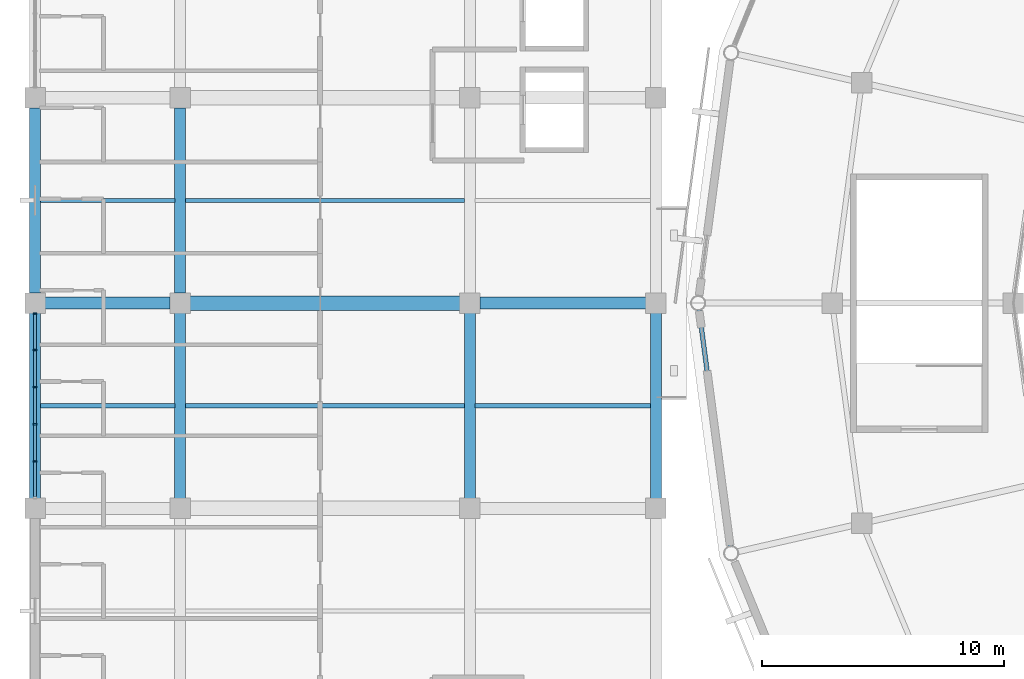
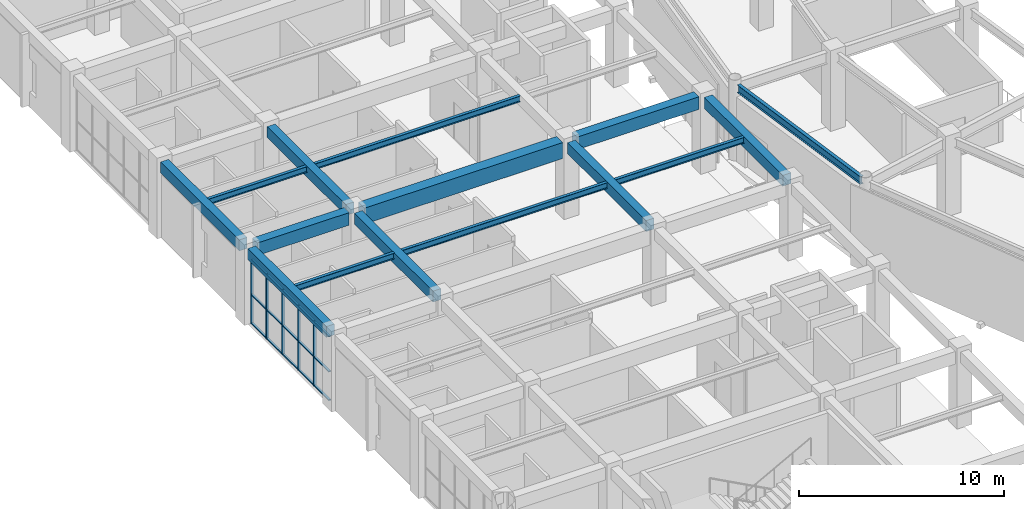
# One storey, part 34 of 112: 20 members, 15 beams, 1 element without a shape of its own.
"""IFC4 building model written with IfcOpenShell, lengths in metres."""

from ifc_helpers import new_model, si_unit, direction, frame, origin, origin_2d, place, context, subcontext, project, spatial, rectangle, i_section, extrude, material, material_profile, profile_set, type_object, element, aggregate, save


model = new_model("IFC4")

# Units and contexts
model_context = context("Model", 3, precision=1e-05, world=origin(), true_north=direction((0.0, 1.0)))
body_context = subcontext(model_context, "Body", "Model", "MODEL_VIEW")
ifc_project = project(units=[si_unit("LENGTHUNIT", "METRE"), si_unit("AREAUNIT", "SQUARE_METRE"), si_unit("VOLUMEUNIT", "CUBIC_METRE"), si_unit("PLANEANGLEUNIT", "RADIAN"), si_unit("MASSUNIT", "GRAM", prefix="KILO")], contexts=[model_context])

# Site, building, storey
site_placement = place(None, origin())
site = spatial("IfcSite", under=ifc_project, at=site_placement, CompositionType="ELEMENT")
building_placement = place(site_placement, origin())
building = spatial("IfcBuilding", under=site, at=building_placement, Name="Cuetzalor Civic Arena", CompositionType="ELEMENT")
storey_placement = place(building_placement, frame((0.0, 0.0, 11.39990234375)))
storey = spatial("IfcBuildingStorey", under=building, at=storey_placement, Name="L02", CompositionType="ELEMENT", Elevation=11.39990234375)

# Beams
ifc_material_1 = material(Name="Concrete C40/50", Category="concrete")
ifc_material_profile_1 = material_profile(ifc_material_1, rectangle(XDim=0.5, YDim=0.75, at=origin_2d()), Name="RC 500x750")
ifc_profile_set_1 = profile_set([ifc_material_profile_1], Name="Concrete C40/50")
beam_type_1 = type_object("IfcBeamType", Name="ConcreteFrameBeam_500x750", PredefinedType="BEAM", material=ifc_profile_set_1)
beam_1_placement = place(storey_placement, frame((-81.5849609375, 0.0, 4.14501953125), z_axis=(1.0, 0.0, 0.0), x_axis=(0.0, 1.0, 0.0)))
element("IfcBeam", 1, at=beam_1_placement, inside=storey, type_object=beam_type_1, Name="Frame Girder V4W-L02-X0643", PredefinedType="BEAM", context=body_context, shape_type="SweptSolid", body=[
    extrude(rectangle(XDim=0.5, YDim=0.75, at=origin_2d()), origin(), (0.0, 0.0, 1.0), 5.169921875),
])
beam_2_placement = place(storey_placement, frame((-63.5849609375, 0.0, 4.14501953125), z_axis=(1.0, 0.0, 0.0), x_axis=(0.0, 1.0, 0.0)))
element("IfcBeam", 2, at=beam_2_placement, inside=storey, type_object=beam_type_1, Name="Frame Girder V4W-L02-X0645", PredefinedType="BEAM", context=body_context, shape_type="SweptSolid", body=[
    extrude(rectangle(XDim=0.5, YDim=0.75, at=origin_2d()), origin(), (0.0, 0.0, 1.0), 6.869873046875),
])
ifc_material_2 = material(Name="Concrete C40/50", Category="concrete")
ifc_material_profile_2 = material_profile(ifc_material_2, rectangle(XDim=0.60009765625, YDim=0.949951171875, at=origin_2d()), Name="RC 600x950")
ifc_profile_set_2 = profile_set([ifc_material_profile_2], Name="Concrete C40/50")
beam_type_2 = type_object("IfcBeamType", Name="ConcreteFrameBeam_600x950", PredefinedType="BEAM", material=ifc_profile_set_2)
beam_3_placement = place(storey_placement, frame((-75.5849609375, 0.0, 4.045166015625), z_axis=(1.0, 0.0, 0.0), x_axis=(0.0, 1.0, 0.0)))
element("IfcBeam", 3, at=beam_3_placement, inside=storey, type_object=beam_type_2, Name="Frame Girder V4W-L02-X0644", PredefinedType="BEAM", context=body_context, shape_type="SweptSolid", body=[
    extrude(rectangle(XDim=0.60009765625, YDim=0.949951171875, at=origin_2d()), origin(), (0.0, 0.0, 1.0), 11.169921875),
])
ifc_material_3 = material(Name="Concrete C40/50", Category="concrete")
ifc_material_profile_3 = material_profile(ifc_material_3, rectangle(XDim=0.449951171875, YDim=0.64990234375, at=origin_2d()), Name="RC 450x650")
ifc_profile_set_3 = profile_set([ifc_material_profile_3], Name="Concrete C40/50")
beam_type_3 = type_object("IfcBeamType", Name="ConcreteTieBeam_450x650", PredefinedType="BEAM", material=ifc_profile_set_3)
for number, where, z_axis, x_axis, name in (
    (4, (-82.0, -8.0849609375, 4.195068359375), (0.0, 1.0, 0.0), (-1.0, 0.0, 0.0), "Frame Girder V4W-L02-Y0663"),
    (5, (-82.0, 0.4150390625, 4.195068359375), (0.0, 1.0, 0.0), (-1.0, 0.0, 0.0), "Frame Girder V4W-L02-Y0664"),
    (6, (-76.0, -8.0849609375, 4.195068359375), (0.0, 1.0, 0.0), (-1.0, 0.0, 0.0), "Frame Girder V4W-L02-Y0673"),
    (7, (-76.0, 0.4150390625, 4.195068359375), (0.0, 1.0, 0.0), (-1.0, 0.0, 0.0), "Frame Girder V4W-L02-Y0674"),
    (8, (-64.0, -8.0849609375, 4.195068359375), (0.0, 1.0, 0.0), (-1.0, 0.0, 0.0), "Frame Girder V4W-L02-Y0683"),
    (9, (-56.300048828125, -8.0849609375, 4.195068359375), (0.0, 1.0, 0.0), (-1.0, 0.0, 0.0), "Frame Girder V4W-L02-Y0693"),
):
    element("IfcBeam", number, at=place(storey_placement, frame(where, z_axis=z_axis, x_axis=x_axis)), inside=storey, type_object=beam_type_3, Name=name, PredefinedType="BEAM", context=body_context, shape_type="SweptSolid", body=[
        extrude(rectangle(XDim=0.449951171875, YDim=0.64990234375, at=origin_2d()), origin(), (0.0, 0.0, 1.0), 7.669921875),
    ])

# Curtain wall, members
ifc_material_4 = material(Name="Anodised dark bronze aluminium and low-E solar glass", Category="aluminium")
curtain_wall_type = type_object("IfcCurtainWallType", Name="UnitisedCW_7700x3850", PredefinedType="USERDEFINED", material=ifc_material_4)
curtain_wall_placement = place(storey_placement, origin())
curtain_wall = element("IfcCurtainWall", 10, at=curtain_wall_placement, inside=storey, type_object=curtain_wall_type, Name="V4W Suite Viewing Curtain Wall L02-115", ObjectType="UNITISED CURTAIN WALL", PredefinedType="USERDEFINED")
ifc_material_5 = material(Name="Anodised dark bronze aluminium", Category="aluminium")
ifc_material_profile_4 = material_profile(ifc_material_5, rectangle(XDim=0.06494140625, YDim=0.14990234375, at=origin_2d()), Name="ALU MULLION 65x150")
ifc_profile_set_4 = profile_set([ifc_material_profile_4], Name="Anodised dark bronze aluminium")
member_type_1 = type_object("IfcMemberType", Name="CurtainWallMullion_60x150", PredefinedType="MULLION", material=ifc_profile_set_4)
member_1_placement = place(storey_placement, frame((-82.0, -6.555908203125, 0.0), z_axis=(0.0, 0.0, 1.0), x_axis=(0.0, 1.0, 0.0)))
member_1 = element("IfcMember", 11, at=member_1_placement, type_object=member_type_1, Name="CW-42 mullion 2", PredefinedType="MULLION", context=body_context, shape_type="SweptSolid", body=[
    extrude(rectangle(XDim=0.06494140625, YDim=0.14990234375, at=origin_2d()), origin(), (0.0, 0.0, 1.0), 3.860107421875),
])
member_2_placement = place(storey_placement, frame((-82.0, -5.0185546875, 0.0), z_axis=(0.0, 0.0, 1.0), x_axis=(0.0, 1.0, 0.0)))
member_2 = element("IfcMember", 12, at=member_2_placement, type_object=member_type_1, Name="CW-42 mullion 3", PredefinedType="MULLION", context=body_context, shape_type="SweptSolid", body=[
    extrude(rectangle(XDim=0.06494140625, YDim=0.14990234375, at=origin_2d()), origin(), (0.0, 0.0, 1.0), 3.860107421875),
])
member_3_placement = place(storey_placement, frame((-82.0, -3.4814453125, 0.0), z_axis=(0.0, 0.0, 1.0), x_axis=(0.0, 1.0, 0.0)))
member_3 = element("IfcMember", 13, at=member_3_placement, type_object=member_type_1, Name="CW-42 mullion 4", PredefinedType="MULLION", context=body_context, shape_type="SweptSolid", body=[
    extrude(rectangle(XDim=0.06494140625, YDim=0.14990234375, at=origin_2d()), origin(), (0.0, 0.0, 1.0), 3.860107421875),
])
member_4_placement = place(storey_placement, frame((-82.0, -1.944091796875, 0.0), z_axis=(0.0, 0.0, 1.0), x_axis=(0.0, 1.0, 0.0)))
member_4 = element("IfcMember", 14, at=member_4_placement, type_object=member_type_1, Name="CW-42 mullion 5", PredefinedType="MULLION", context=body_context, shape_type="SweptSolid", body=[
    extrude(rectangle(XDim=0.06494140625, YDim=0.14990234375, at=origin_2d()), origin(), (0.0, 0.0, 1.0), 3.860107421875),
])
member_5_placement = place(storey_placement, frame((-82.0, -0.439453125, 0.0), z_axis=(0.0, 0.0, 1.0), x_axis=(0.0, 1.0, 0.0)))
member_5 = element("IfcMember", 15, at=member_5_placement, type_object=member_type_1, Name="CW-42 mullion 6", PredefinedType="MULLION", context=body_context, shape_type="SweptSolid", body=[
    extrude(rectangle(XDim=0.06494140625, YDim=0.14990234375, at=origin_2d()), origin(), (0.0, 0.0, 1.0), 3.860107421875),
])
ifc_material_6 = material(Name="Anodised dark bronze aluminium", Category="aluminium")
ifc_material_profile_5 = material_profile(ifc_material_6, rectangle(XDim=0.1201171875, YDim=0.06494140625, at=origin_2d()), Name="ALU TRANSOM 65x120")
ifc_profile_set_5 = profile_set([ifc_material_profile_5], Name="Anodised dark bronze aluminium")
member_type_2 = type_object("IfcMemberType", Name="CurtainWallTransom_60x120", PredefinedType="USERDEFINED", material=ifc_profile_set_5)
member_6_placement = place(storey_placement, frame((-82.0, -8.028076171875, 0.03271484375), z_axis=(0.0, 1.0, 0.0), x_axis=(-1.0, 0.0, 0.0)))
member_6 = element("IfcMember", 16, at=member_6_placement, type_object=member_type_2, Name="CW-42 transom 1.1", ObjectType="TRANSOM", PredefinedType="USERDEFINED", context=body_context, shape_type="SweptSolid", body=[
    extrude(rectangle(XDim=0.1201171875, YDim=0.06494140625, at=origin_2d()), origin(), (0.0, 0.0, 1.0), 1.439697265625),
])
member_7_placement = place(storey_placement, frame((-82.0, -8.028076171875, 1.737060546875), z_axis=(0.0, 1.0, 0.0), x_axis=(-1.0, 0.0, 0.0)))
member_7 = element("IfcMember", 17, at=member_7_placement, type_object=member_type_2, Name="CW-42 transom 1.2", ObjectType="TRANSOM", PredefinedType="USERDEFINED", context=body_context, shape_type="SweptSolid", body=[
    extrude(rectangle(XDim=0.1201171875, YDim=0.06494140625, at=origin_2d()), origin(), (0.0, 0.0, 1.0), 1.439697265625),
])
member_8_placement = place(storey_placement, frame((-82.0, -8.028076171875, 3.82763671875), z_axis=(0.0, 1.0, 0.0), x_axis=(-1.0, 0.0, 0.0)))
member_8 = element("IfcMember", 18, at=member_8_placement, type_object=member_type_2, Name="CW-42 transom 1.3", ObjectType="TRANSOM", PredefinedType="USERDEFINED", context=body_context, shape_type="SweptSolid", body=[
    extrude(rectangle(XDim=0.1201171875, YDim=0.06494140625, at=origin_2d()), origin(), (0.0, 0.0, 1.0), 1.439697265625),
])
member_9_placement = place(storey_placement, frame((-82.0, -6.523193359375, 0.03271484375), z_axis=(0.0, 1.0, 0.0), x_axis=(-1.0, 0.0, 0.0)))
member_9 = element("IfcMember", 19, at=member_9_placement, type_object=member_type_2, Name="CW-42 transom 2.1", ObjectType="TRANSOM", PredefinedType="USERDEFINED", context=body_context, shape_type="SweptSolid", body=[
    extrude(rectangle(XDim=0.1201171875, YDim=0.06494140625, at=origin_2d()), origin(), (0.0, 0.0, 1.0), 1.47216796875),
])
member_10_placement = place(storey_placement, frame((-82.0, -6.523193359375, 1.737060546875), z_axis=(0.0, 1.0, 0.0), x_axis=(-1.0, 0.0, 0.0)))
member_10 = element("IfcMember", 20, at=member_10_placement, type_object=member_type_2, Name="CW-42 transom 2.2", ObjectType="TRANSOM", PredefinedType="USERDEFINED", context=body_context, shape_type="SweptSolid", body=[
    extrude(rectangle(XDim=0.1201171875, YDim=0.06494140625, at=origin_2d()), origin(), (0.0, 0.0, 1.0), 1.47216796875),
])
member_11_placement = place(storey_placement, frame((-82.0, -6.523193359375, 3.82763671875), z_axis=(0.0, 1.0, 0.0), x_axis=(-1.0, 0.0, 0.0)))
member_11 = element("IfcMember", 21, at=member_11_placement, type_object=member_type_2, Name="CW-42 transom 2.3", ObjectType="TRANSOM", PredefinedType="USERDEFINED", context=body_context, shape_type="SweptSolid", body=[
    extrude(rectangle(XDim=0.1201171875, YDim=0.06494140625, at=origin_2d()), origin(), (0.0, 0.0, 1.0), 1.47216796875),
])
member_12_placement = place(storey_placement, frame((-82.0, -4.986083984375, 0.03271484375), z_axis=(0.0, 1.0, 0.0), x_axis=(-1.0, 0.0, 0.0)))
member_12 = element("IfcMember", 22, at=member_12_placement, type_object=member_type_2, Name="CW-42 transom 3.1", ObjectType="TRANSOM", PredefinedType="USERDEFINED", context=body_context, shape_type="SweptSolid", body=[
    extrude(rectangle(XDim=0.1201171875, YDim=0.06494140625, at=origin_2d()), origin(), (0.0, 0.0, 1.0), 1.47216796875),
])
member_13_placement = place(storey_placement, frame((-82.0, -4.986083984375, 1.737060546875), z_axis=(0.0, 1.0, 0.0), x_axis=(-1.0, 0.0, 0.0)))
member_13 = element("IfcMember", 23, at=member_13_placement, type_object=member_type_2, Name="CW-42 transom 3.2", ObjectType="TRANSOM", PredefinedType="USERDEFINED", context=body_context, shape_type="SweptSolid", body=[
    extrude(rectangle(XDim=0.1201171875, YDim=0.06494140625, at=origin_2d()), origin(), (0.0, 0.0, 1.0), 1.47216796875),
])
member_14_placement = place(storey_placement, frame((-82.0, -4.986083984375, 3.82763671875), z_axis=(0.0, 1.0, 0.0), x_axis=(-1.0, 0.0, 0.0)))
member_14 = element("IfcMember", 24, at=member_14_placement, type_object=member_type_2, Name="CW-42 transom 3.3", ObjectType="TRANSOM", PredefinedType="USERDEFINED", context=body_context, shape_type="SweptSolid", body=[
    extrude(rectangle(XDim=0.1201171875, YDim=0.06494140625, at=origin_2d()), origin(), (0.0, 0.0, 1.0), 1.47216796875),
])
member_15_placement = place(storey_placement, frame((-82.0, -3.448974609375, 0.03271484375), z_axis=(0.0, 1.0, 0.0), x_axis=(-1.0, 0.0, 0.0)))
member_15 = element("IfcMember", 25, at=member_15_placement, type_object=member_type_2, Name="CW-42 transom 4.1", ObjectType="TRANSOM", PredefinedType="USERDEFINED", context=body_context, shape_type="SweptSolid", body=[
    extrude(rectangle(XDim=0.1201171875, YDim=0.06494140625, at=origin_2d()), origin(), (0.0, 0.0, 1.0), 1.47216796875),
])
member_16_placement = place(storey_placement, frame((-82.0, -3.448974609375, 1.737060546875), z_axis=(0.0, 1.0, 0.0), x_axis=(-1.0, 0.0, 0.0)))
member_16 = element("IfcMember", 26, at=member_16_placement, type_object=member_type_2, Name="CW-42 transom 4.2", ObjectType="TRANSOM", PredefinedType="USERDEFINED", context=body_context, shape_type="SweptSolid", body=[
    extrude(rectangle(XDim=0.1201171875, YDim=0.06494140625, at=origin_2d()), origin(), (0.0, 0.0, 1.0), 1.47216796875),
])
member_17_placement = place(storey_placement, frame((-82.0, -3.448974609375, 3.82763671875), z_axis=(0.0, 1.0, 0.0), x_axis=(-1.0, 0.0, 0.0)))
member_17 = element("IfcMember", 27, at=member_17_placement, type_object=member_type_2, Name="CW-42 transom 4.3", ObjectType="TRANSOM", PredefinedType="USERDEFINED", context=body_context, shape_type="SweptSolid", body=[
    extrude(rectangle(XDim=0.1201171875, YDim=0.06494140625, at=origin_2d()), origin(), (0.0, 0.0, 1.0), 1.47216796875),
])
member_18_placement = place(storey_placement, frame((-82.0, -1.91162109375, 0.03271484375), z_axis=(0.0, 1.0, 0.0), x_axis=(-1.0, 0.0, 0.0)))
member_18 = element("IfcMember", 28, at=member_18_placement, type_object=member_type_2, Name="CW-42 transom 5.1", ObjectType="TRANSOM", PredefinedType="USERDEFINED", context=body_context, shape_type="SweptSolid", body=[
    extrude(rectangle(XDim=0.1201171875, YDim=0.06494140625, at=origin_2d()), origin(), (0.0, 0.0, 1.0), 1.439697265625),
])
member_19_placement = place(storey_placement, frame((-82.0, -1.91162109375, 1.737060546875), z_axis=(0.0, 1.0, 0.0), x_axis=(-1.0, 0.0, 0.0)))
member_19 = element("IfcMember", 29, at=member_19_placement, type_object=member_type_2, Name="CW-42 transom 5.2", ObjectType="TRANSOM", PredefinedType="USERDEFINED", context=body_context, shape_type="SweptSolid", body=[
    extrude(rectangle(XDim=0.1201171875, YDim=0.06494140625, at=origin_2d()), origin(), (0.0, 0.0, 1.0), 1.439697265625),
])
member_20_placement = place(storey_placement, frame((-82.0, -1.91162109375, 3.82763671875), z_axis=(0.0, 1.0, 0.0), x_axis=(-1.0, 0.0, 0.0)))
member_20 = element("IfcMember", 30, at=member_20_placement, type_object=member_type_2, Name="CW-42 transom 5.3", ObjectType="TRANSOM", PredefinedType="USERDEFINED", context=body_context, shape_type="SweptSolid", body=[
    extrude(rectangle(XDim=0.1201171875, YDim=0.06494140625, at=origin_2d()), origin(), (0.0, 0.0, 1.0), 1.439697265625),
])
aggregate(curtain_wall, [member_1, member_2, member_3, member_4, member_5, member_6, member_7, member_8, member_9, member_10, member_11, member_12, member_13, member_14, member_15, member_16, member_17, member_18, member_19, member_20])

# Beams
ifc_material_7 = material(Name="Steel S355", Category="steel")
ifc_material_profile_6 = material_profile(ifc_material_7, i_section(OverallWidth=0.18994140625, OverallDepth=0.45703125, WebThickness=0.009033203125, FlangeThickness=0.014404296875, at=origin_2d()), Name="W460x74")
ifc_profile_set_6 = profile_set([ifc_material_profile_6], Name="Steel S355")
beam_type_4 = type_object("IfcBeamType", Name="FacadeSpandrelBeam_W460", PredefinedType="SPANDREL", material=ifc_profile_set_6)
beam_4_placement = place(storey_placement, frame((-54.511962890625, -0.28759765625, 4.29150390625), z_axis=(0.130901206694, -0.991395417624, 0.0), x_axis=(0.991395417624, 0.130901206694, 0.0)))
element("IfcBeam", 31, at=beam_4_placement, inside=storey, type_object=beam_type_4, Name="Drum Perimeter Spandrel L02-S15", PredefinedType="SPANDREL", context=body_context, shape_type="SweptSolid", body=[
    extrude(i_section(OverallWidth=0.18994140625, OverallDepth=0.45703125, WebThickness=0.009033203125, FlangeThickness=0.014404296875, at=origin_2d()), origin(), (0.0, 0.0, 1.0), 9.8681640625),
])
ifc_material_8 = material(Name="Steel S355", Category="steel")
ifc_material_profile_7 = material_profile(ifc_material_8, i_section(OverallWidth=0.1708984375, OverallDepth=0.35498046875, WebThickness=0.007080078125, FlangeThickness=0.01171875, at=origin_2d()), Name="W360x51")
ifc_profile_set_7 = profile_set([ifc_material_profile_7], Name="Steel S355")
beam_type_5 = type_object("IfcBeamType", Name="SecondaryFloorJoist_W360", PredefinedType="JOIST", material=ifc_profile_set_7)
for number, where, z_axis, x_axis, name in (
    (32, (-81.782958984375, -4.25, 4.342529296875), (1.0, 0.0, 0.0), (0.0, 1.0, 0.0), "Secondary Floor Joist V4W-L02-0194"),
    (33, (-81.782958984375, 4.25, 4.342529296875), (1.0, 0.0, 0.0), (0.0, 1.0, 0.0), "Secondary Floor Joist V4W-L02-0195"),
):
    element("IfcBeam", number, at=place(storey_placement, frame(where, z_axis=z_axis, x_axis=x_axis)), inside=storey, type_object=beam_type_5, Name=name, PredefinedType="JOIST", context=body_context, shape_type="SweptSolid", body=[
        extrude(i_section(OverallWidth=0.1708984375, OverallDepth=0.35498046875, WebThickness=0.007080078125, FlangeThickness=0.01171875, at=origin_2d()), origin(), (0.0, 0.0, 1.0), 5.56591796875),
    ])
for number, where, z_axis, x_axis, name in (
    (34, (-75.782958984375, -4.25, 4.342529296875), (1.0, 0.0, 0.0), (0.0, 1.0, 0.0), "Secondary Floor Joist V4W-L02-0202"),
    (35, (-75.782958984375, 4.25, 4.342529296875), (1.0, 0.0, 0.0), (0.0, 1.0, 0.0), "Secondary Floor Joist V4W-L02-0203"),
):
    element("IfcBeam", number, at=place(storey_placement, frame(where, z_axis=z_axis, x_axis=x_axis)), inside=storey, type_object=beam_type_5, Name=name, PredefinedType="JOIST", context=body_context, shape_type="SweptSolid", body=[
        extrude(i_section(OverallWidth=0.1708984375, OverallDepth=0.35498046875, WebThickness=0.007080078125, FlangeThickness=0.01171875, at=origin_2d()), origin(), (0.0, 0.0, 1.0), 11.56591796875),
    ])
beam_5_placement = place(storey_placement, frame((-63.782958984375, -4.25, 4.342529296875), z_axis=(1.0, 0.0, 0.0), x_axis=(0.0, 1.0, 0.0)))
element("IfcBeam", 36, at=beam_5_placement, inside=storey, type_object=beam_type_5, Name="Secondary Floor Joist V4W-L02-0210", PredefinedType="JOIST", context=body_context, shape_type="SweptSolid", body=[
    extrude(i_section(OverallWidth=0.1708984375, OverallDepth=0.35498046875, WebThickness=0.007080078125, FlangeThickness=0.01171875, at=origin_2d()), origin(), (0.0, 0.0, 1.0), 7.265869140625),
])

save(model, "model.ifc")
